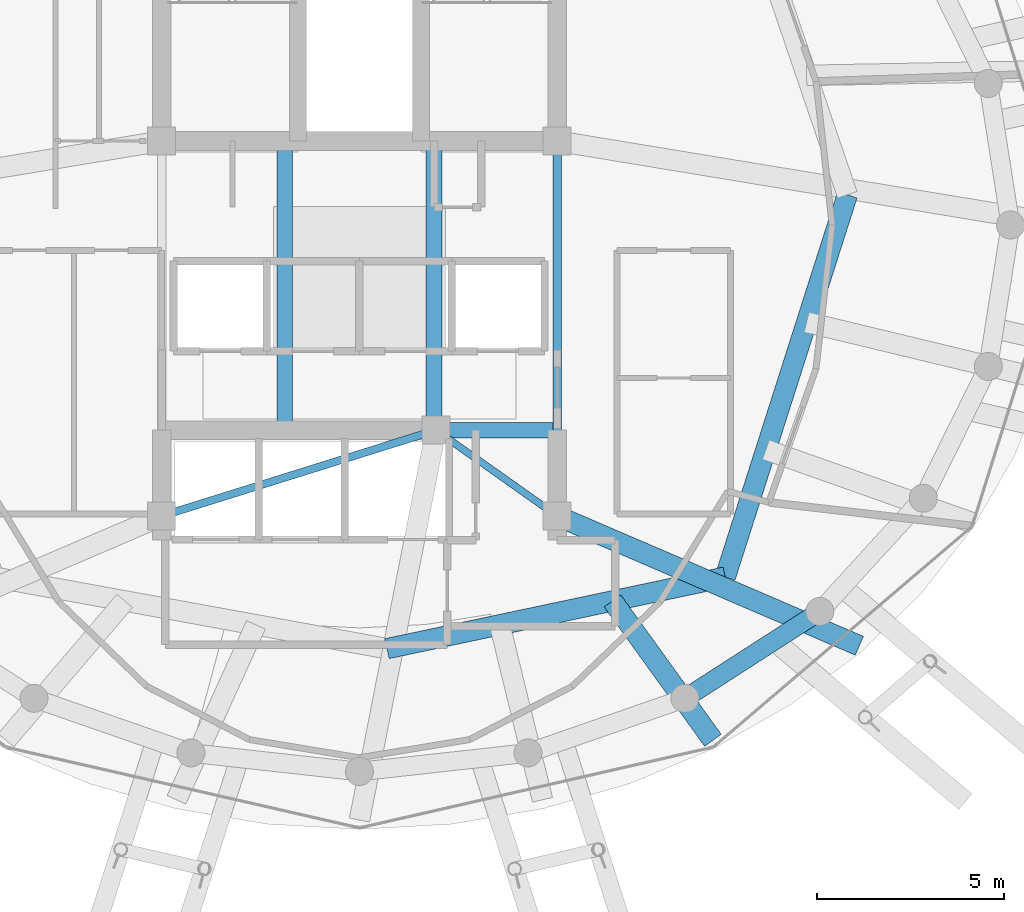
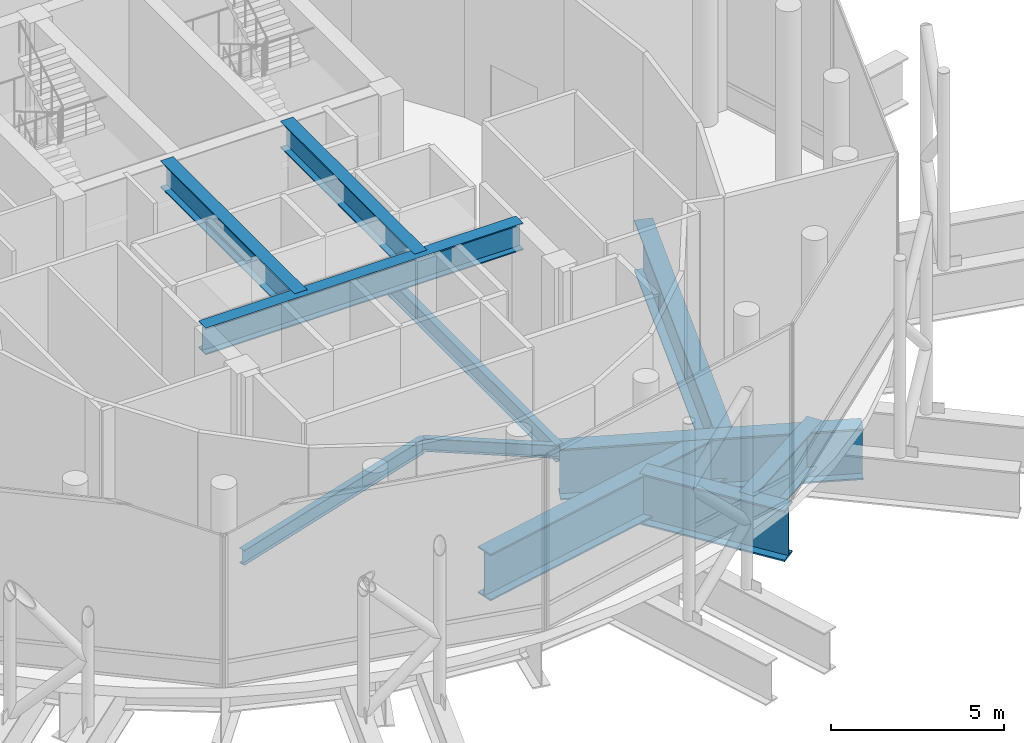
# One storey, part 8 of 26: 11 beams.
"""IFC4 building model written with IfcOpenShell, lengths in metres."""

from ifc_helpers import new_model, si_unit, direction, frame, origin, origin_2d, place, context, subcontext, project, spatial, i_section, extrude, material, material_profile, profile_set, type_object, element, save


model = new_model("IFC4")

# Units and contexts
model_context = context("Model", 3, precision=1e-05, world=origin(), true_north=direction((0.0, 1.0)))
body_context = subcontext(model_context, "Body", "Model", "MODEL_VIEW")
ifc_project = project(units=[si_unit("LENGTHUNIT", "METRE"), si_unit("AREAUNIT", "SQUARE_METRE"), si_unit("VOLUMEUNIT", "CUBIC_METRE"), si_unit("PLANEANGLEUNIT", "RADIAN"), si_unit("MASSUNIT", "GRAM", prefix="KILO")], contexts=[model_context])

# Site, building, storey
site_placement = place(None, origin())
site = spatial("IfcSite", under=ifc_project, at=site_placement, CompositionType="ELEMENT")
building_placement = place(site_placement, origin())
building = spatial("IfcBuilding", under=site, at=building_placement, Name="Nuhasar Tower", CompositionType="ELEMENT")
storey_placement = place(building_placement, frame((0.0, 0.0, 306.800048828125)))
storey = spatial("IfcBuildingStorey", under=building, at=storey_placement, Name="L76", CompositionType="ELEMENT", Elevation=306.800048828125)

# Beams
ifc_material_1 = material(Name="Steel S355", Category="steel")
ifc_material_profile_1 = material_profile(ifc_material_1, i_section(OverallWidth=0.18994140625, OverallDepth=0.45703125, WebThickness=0.009033203125, FlangeThickness=0.014404296875, at=origin_2d()), Name="W18X50")
ifc_profile_set_1 = profile_set([ifc_material_profile_1], Name="Steel S355")
beam_type_1 = type_object("IfcBeamType", Name="BM-RAD-W18X50", PredefinedType="BEAM", material=ifc_profile_set_1)
beam_1_placement = place(storey_placement, frame((41.050048828125, 21.300048828125, -0.5791015625), z_axis=(0.816265428953, -0.577677028708, 0.0), x_axis=(0.577677028708, 0.816265428953, 0.0)))
element("IfcBeam", 1, at=beam_1_placement, inside=storey, type_object=beam_type_1, Name="L76 Core Ring Girder 2", PredefinedType="BEAM", context=body_context, shape_type="SweptSolid", body=[
    extrude(i_section(OverallWidth=0.18994140625, OverallDepth=0.45703125, WebThickness=0.009033203125, FlangeThickness=0.014404296875, at=origin_2d()), origin(), (0.0, 0.0, 1.0), 3.9814453125),
])
ifc_material_profile_2 = material_profile(ifc_material_1, i_section(OverallWidth=0.208984375, OverallDepth=0.528076171875, WebThickness=0.009521484375, FlangeThickness=0.01318359375, at=origin_2d()), Name="W21X55")
ifc_profile_set_2 = profile_set([ifc_material_profile_2], Name="Steel S355")
beam_type_2 = type_object("IfcBeamType", Name="BM-RAD-W21X55", PredefinedType="BEAM", material=ifc_profile_set_2)
beam_2_placement = place(storey_placement, frame((33.699951171875, 19.0, -0.614013671875), z_axis=(0.954363709454, 0.298646798205, 0.0), x_axis=(-0.298646798205, 0.954363709454, 0.0)))
element("IfcBeam", 2, at=beam_2_placement, inside=storey, type_object=beam_type_2, Name="L76 Core Ring Girder 1", PredefinedType="BEAM", context=body_context, shape_type="SweptSolid", body=[
    extrude(i_section(OverallWidth=0.208984375, OverallDepth=0.528076171875, WebThickness=0.009521484375, FlangeThickness=0.01318359375, at=origin_2d()), origin(), (0.0, 0.0, 1.0), 7.70166015625),
])
ifc_material_profile_3 = material_profile(ifc_material_1, i_section(OverallWidth=0.22900390625, OverallDepth=0.612060546875, WebThickness=0.011962890625, FlangeThickness=0.01953125, at=origin_2d()), Name="W24X84")
ifc_profile_set_3 = profile_set([ifc_material_profile_3], Name="Steel S355")
beam_type_3 = type_object("IfcBeamType", Name="BM-RAD-W24X84", PredefinedType="BEAM", material=ifc_profile_set_3)
beam_3_placement = place(storey_placement, frame((44.300048828125, 19.0, -0.656005859375), z_axis=(0.0, 1.0, 0.0), x_axis=(-1.0, 0.0, 0.0)))
element("IfcBeam", 3, at=beam_3_placement, inside=storey, type_object=beam_type_3, Name="L76 Core Ring Girder 3", PredefinedType="BEAM", context=body_context, shape_type="SweptSolid", body=[
    extrude(i_section(OverallWidth=0.22900390625, OverallDepth=0.612060546875, WebThickness=0.011962890625, FlangeThickness=0.01953125, at=origin_2d()), origin(), (0.0, 0.0, 1.0), 10.050048828125),
])
ifc_material_2 = material(Name="Steel S460", Category="steel")
ifc_material_profile_4 = material_profile(ifc_material_2, i_section(OverallWidth=0.423095703125, OverallDepth=0.947998046875, WebThickness=0.02392578125, FlangeThickness=0.042724609375, at=origin_2d()), Name="W36X302")
ifc_profile_set_4 = profile_set([ifc_material_profile_4], Name="Steel S460")
beam_type_4 = type_object("IfcBeamType", Name="BM-TMD-W36X302", PredefinedType="USERDEFINED", material=ifc_profile_set_4)
beam_4_placement = place(storey_placement, frame((33.699951171875, 21.300048828125, 5.7060546875), z_axis=(1.0, 0.0, 0.0), x_axis=(0.0, 1.0, 0.0)))
element("IfcBeam", 4, at=beam_4_placement, inside=storey, type_object=beam_type_4, Name="L76 Tuned Mass Damper Suspension Girder 1", ObjectType="GIRDER", PredefinedType="USERDEFINED", context=body_context, shape_type="SweptSolid", body=[
    extrude(i_section(OverallWidth=0.423095703125, OverallDepth=0.947998046875, WebThickness=0.02392578125, FlangeThickness=0.042724609375, at=origin_2d()), origin(), (0.0, 0.0, 1.0), 10.60009765625),
])
for number, where, z_axis, x_axis, name in (
    (5, (37.0, 21.300048828125, 5.7060546875), (0.0, 1.0, 0.0), (-1.0, 0.0, 0.0), "L76 Tuned Mass Damper Cross Beam 1"),
    (6, (41.0, 21.300048828125, 5.7060546875), (0.0, 1.0, 0.0), (-1.0, 0.0, 0.0), "L76 Tuned Mass Damper Cross Beam 2"),
):
    element("IfcBeam", number, at=place(storey_placement, frame(where, z_axis=z_axis, x_axis=x_axis)), inside=storey, type_object=beam_type_4, Name=name, ObjectType="GIRDER", PredefinedType="USERDEFINED", context=body_context, shape_type="SweptSolid", body=[
        extrude(i_section(OverallWidth=0.423095703125, OverallDepth=0.947998046875, WebThickness=0.02392578125, FlangeThickness=0.042724609375, at=origin_2d()), origin(), (0.0, 0.0, 1.0), 7.75),
    ])
ifc_material_profile_5 = material_profile(ifc_material_2, i_section(OverallWidth=0.5, OverallDepth=1.449951171875, WebThickness=0.028076171875, FlangeThickness=0.050048828125, at=origin_2d()), Name="PG1450X500")
ifc_profile_set_5 = profile_set([ifc_material_profile_5], Name="Steel S460")
beam_type_5 = type_object("IfcBeamType", Name="BM-XFER-PG1450", PredefinedType="USERDEFINED", material=ifc_profile_set_5)
beam_5_placement = place(storey_placement, frame((47.72509765625, 14.113037109375, -1.074951171875), z_axis=(0.840692841322, 0.541512277377, 0.0), x_axis=(-0.541512277377, 0.840692841322, 0.0)))
element("IfcBeam", 7, at=beam_5_placement, inside=storey, type_object=beam_type_5, Name="L76 Perimeter Ring Spandrel 21", ObjectType="GIRDER", PredefinedType="USERDEFINED", context=body_context, shape_type="SweptSolid", body=[
    extrude(i_section(OverallWidth=0.5, OverallDepth=1.449951171875, WebThickness=0.028076171875, FlangeThickness=0.050048828125, at=origin_2d()), origin(), (0.0, 0.0, 1.0), 4.298828125),
])
ifc_material_profile_6 = material_profile(ifc_material_2, i_section(OverallWidth=0.550048828125, OverallDepth=1.64990234375, WebThickness=0.031982421875, FlangeThickness=0.054931640625, at=origin_2d()), Name="PG1650X550")
ifc_profile_set_6 = profile_set([ifc_material_profile_6], Name="Steel S460")
beam_type_6 = type_object("IfcBeamType", Name="BM-XFER-PG1650", PredefinedType="USERDEFINED", material=ifc_profile_set_6)
beam_6_placement = place(storey_placement, frame((39.738037109375, 15.444091796875, -1.175048828125), z_axis=(0.978350318577, 0.206955681586, 0.0), x_axis=(-0.206955681586, 0.978350318577, 0.0)))
element("IfcBeam", 8, at=beam_6_placement, inside=storey, type_object=beam_type_6, Name="L76 Inner Header Beam 02", ObjectType="GIRDER", PredefinedType="USERDEFINED", context=body_context, shape_type="SweptSolid", body=[
    extrude(i_section(OverallWidth=0.550048828125, OverallDepth=1.64990234375, WebThickness=0.031982421875, FlangeThickness=0.054931640625, at=origin_2d()), origin(), (0.0, 0.0, 1.0), 9.267578125),
])
ifc_material_profile_7 = material_profile(ifc_material_2, i_section(OverallWidth=0.550048828125, OverallDepth=1.800048828125, WebThickness=0.031982421875, FlangeThickness=0.054931640625, at=origin_2d()), Name="PG1800X550")
ifc_profile_set_7 = profile_set([ifc_material_profile_7], Name="Steel S460")
beam_type_7 = type_object("IfcBeamType", Name="BM-XFER-PG1800", PredefinedType="USERDEFINED", material=ifc_profile_set_7)
beam_7_placement = place(storey_placement, frame((44.300048828125, 19.0, -1.25), z_axis=(0.91887119061, -0.394557644797, 0.0), x_axis=(0.394557644797, 0.91887119061, 0.0)))
element("IfcBeam", 9, at=beam_7_placement, inside=storey, type_object=beam_type_7, Name="L76 Radial Floor Girder 03", ObjectType="GIRDER", PredefinedType="USERDEFINED", context=body_context, shape_type="SweptSolid", body=[
    extrude(i_section(OverallWidth=0.550048828125, OverallDepth=1.800048828125, WebThickness=0.031982421875, FlangeThickness=0.054931640625, at=origin_2d()), origin(), (0.0, 0.0, 1.0), 8.81494140625),
])
beam_8_placement = place(storey_placement, frame((48.804931640625, 17.362060546875, -1.25), z_axis=(0.304069097332, 0.952649979818, 0.0), x_axis=(-0.952649979818, 0.304069097332, 0.0)))
element("IfcBeam", 10, at=beam_8_placement, inside=storey, type_object=beam_type_7, Name="L76 Inner Header Beam 03", ObjectType="GIRDER", PredefinedType="USERDEFINED", context=body_context, shape_type="SweptSolid", body=[
    extrude(i_section(OverallWidth=0.550048828125, OverallDepth=1.800048828125, WebThickness=0.031982421875, FlangeThickness=0.054931640625, at=origin_2d()), origin(), (0.0, 0.0, 1.0), 10.75732421875),
])
beam_9_placement = place(storey_placement, frame((45.782958984375, 16.722900390625, -1.25), z_axis=(0.584638488245, -0.811293928279, 0.0), x_axis=(0.811293928279, 0.584638488245, 0.0)))
element("IfcBeam", 11, at=beam_9_placement, inside=storey, type_object=beam_type_7, Name="L76 Inner Column Transfer Girder 21", ObjectType="GIRDER", PredefinedType="USERDEFINED", context=body_context, shape_type="SweptSolid", body=[
    extrude(i_section(OverallWidth=0.550048828125, OverallDepth=1.800048828125, WebThickness=0.031982421875, FlangeThickness=0.054931640625, at=origin_2d()), origin(), (0.0, 0.0, 1.0), 4.604736328125),
])

save(model, "model.ifc")
